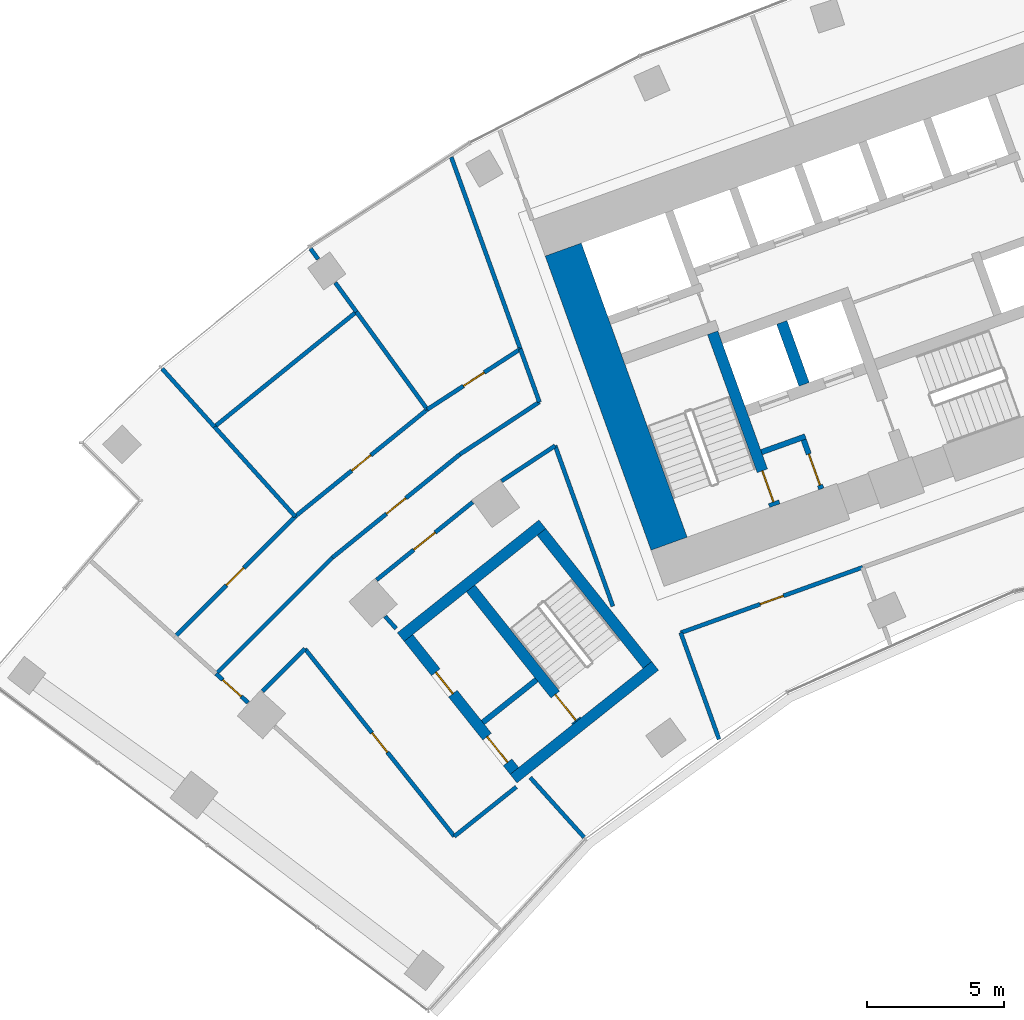
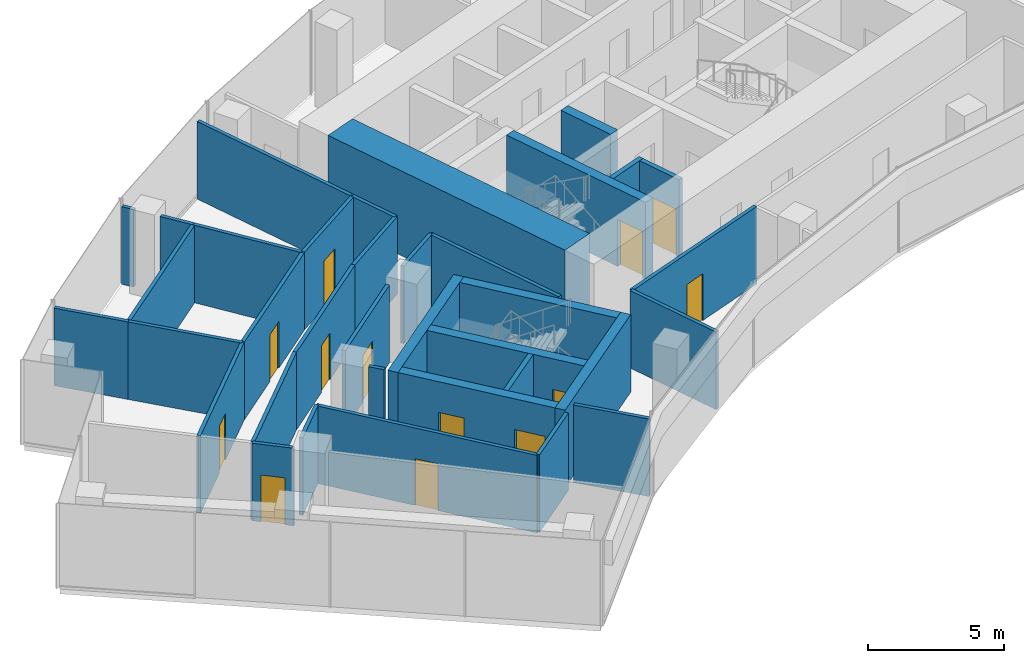
# One storey, part 13 of 20: 36 walls, 13 doors, 13 openings.
"""IFC4 building model written with IfcOpenShell, lengths in metres."""

from ifc_helpers import new_model, si_unit, direction, frame, frame_2d, origin, place, context, subcontext, project, spatial, rectangle, extrude, material, layer, layer_set, type_object, element, fill, save


model = new_model("IFC4")

# Units and contexts
model_context = context("Model", 3, precision=1e-05, world=origin(), true_north=direction((0.0, 1.0)))
body_context = subcontext(model_context, "Body", "Model", "MODEL_VIEW")
ifc_project = project(units=[si_unit("LENGTHUNIT", "METRE"), si_unit("AREAUNIT", "SQUARE_METRE"), si_unit("VOLUMEUNIT", "CUBIC_METRE"), si_unit("PLANEANGLEUNIT", "RADIAN"), si_unit("MASSUNIT", "GRAM", prefix="KILO")], contexts=[model_context])

# Site, building, storey
site_placement = place(None, origin())
site = spatial("IfcSite", under=ifc_project, at=site_placement, CompositionType="ELEMENT")
building_placement = place(site_placement, origin())
building = spatial("IfcBuilding", under=site, at=building_placement, Name="Stone Belt Terrace Tower", CompositionType="ELEMENT")
storey_placement = place(building_placement, frame((0.0, 0.0, 185.800048828125)))
storey = spatial("IfcBuildingStorey", under=building, at=storey_placement, Name="L45", CompositionType="ELEMENT", Elevation=185.800048828125)

# Walls
ifc_material_1 = material(Name="Concrete B80", Category="concrete")
ifc_layer_1 = layer(ifc_material_1, 1.39990234375)
ifc_layer_set_1 = layer_set([ifc_layer_1], Name="Core wall 1400 B80")
wall_type_1 = type_object("IfcWallType", Name="Core wall 1400 B80", PredefinedType="SHEAR", material=ifc_layer_set_1)
wall_1_placement = place(storey_placement, frame((-26.00927734375, 43.03515625, 0.0), z_axis=(0.0, 0.0, 1.0), x_axis=(-0.338625431531, 0.940921259788, 0.0)))
element("IfcWall", 1, at=wall_1_placement, inside=storey, type_object=wall_type_1, Name="Core A wall end_a L45", PredefinedType="SHEAR", context=body_context, shape_type="SweptSolid", body=[
    extrude(rectangle(XDim=11.400146484375, YDim=1.39990234375, at=frame_2d((5.7001953125, 0.0))), origin(), (0.0, 0.0, 1.0), 3.800048828125),
])
ifc_layer_2 = layer(ifc_material_1, 0.39990234375)
ifc_layer_set_2 = layer_set([ifc_layer_2], Name="Fire-fighting lift shaft wall 400")
wall_type_2 = type_object("IfcWallType", Name="Fire-fighting lift shaft wall 400", PredefinedType="SHEAR", material=ifc_layer_set_2)
wall_2_placement = place(storey_placement, frame((-21.0859375, 48.845458984375, 0.0), z_axis=(0.0, 0.0, 1.0), x_axis=(-0.338629416206, 0.940919825745, 0.0)))
element("IfcWall", 2, at=wall_2_placement, inside=storey, type_object=wall_type_2, Name="Core A wall", PredefinedType="SHEAR", context=body_context, shape_type="SweptSolid", body=[
    extrude(rectangle(XDim=2.400146484375, YDim=0.39990234375, at=frame_2d((1.2001953125, 0.0))), origin(), (0.0, 0.0, 1.0), 3.47998046875),
])
ifc_material_2 = material(Name="Gypsum board partition")
ifc_layer_3 = layer(ifc_material_2, 0.14990234375)
ifc_layer_set_3 = layer_set([ifc_layer_3], Name="PARTITION 150 EI 60")
wall_type_3 = type_object("IfcWallType", Name="PARTITION 150 EI 60", PredefinedType="PARTITIONING", material=ifc_layer_set_3)
wall_3_placement = place(storey_placement, frame((-25.5859375, 39.79296875, 0.0), z_axis=(0.0, 0.0, 1.0), x_axis=(0.338545933013, -0.940949866486, 0.0)))
element("IfcWall", 3, at=wall_3_placement, inside=storey, type_object=wall_type_3, Name="L45/wall/i001", PredefinedType="PARTITIONING", context=body_context, shape_type="SweptSolid", body=[
    extrude(rectangle(XDim=4.135009765625, YDim=0.14990234375, at=frame_2d((2.0673828125, 0.0))), origin(), (0.0, 0.0, 1.0), 3.47998046875),
])
wall_4_placement = place(storey_placement, frame((-28.05810546875, 40.75390625, 0.0), z_axis=(0.0, 0.0, 1.0), x_axis=(-0.338523697563, 0.94095786632, 0.0)))
element("IfcWall", 4, at=wall_4_placement, inside=storey, type_object=wall_type_3, Name="L45/wall/i003", PredefinedType="PARTITIONING", context=body_context, shape_type="SweptSolid", body=[
    extrude(rectangle(XDim=6.226806640625, YDim=0.14990234375, at=frame_2d((3.11328125, 0.0))), origin(), (0.0, 0.0, 1.0), 3.47998046875),
])
wall_5_placement = place(storey_placement, frame((-29.107177734375, 32.32666015625, 0.0), z_axis=(0.0, 0.0, 1.0), x_axis=(-0.669245075227, 0.74304174128, 0.0)))
element("IfcWall", 5, at=wall_5_placement, inside=storey, type_object=wall_type_3, Name="L45/wall/i004", PredefinedType="PARTITIONING", context=body_context, shape_type="SweptSolid", body=[
    extrude(rectangle(XDim=2.9345703125, YDim=0.14990234375, at=frame_2d((1.46728515625, 0.0))), origin(), (0.0, 0.0, 1.0), 3.47998046875),
])
wall_6_placement = place(storey_placement, frame((-30.737060546875, 48.197021484375, 0.0), z_axis=(0.0, 0.0, 1.0), x_axis=(-0.338522672426, 0.940958235127, 0.0)))
element("IfcWall", 6, at=wall_6_placement, inside=storey, type_object=wall_type_3, Name="L45/wall/i005", PredefinedType="PARTITIONING", context=body_context, shape_type="SweptSolid", body=[
    extrude(rectangle(XDim=2.064697265625, YDim=0.14990234375, at=frame_2d((1.0322265625, 0.0))), origin(), (0.0, 0.0, 1.0), 3.47998046875),
])
wall_7_placement = place(storey_placement, frame((-31.431884765625, 50.12890625, 0.0), z_axis=(0.0, 0.0, 1.0), x_axis=(-0.338627692375, 0.940920446136, 0.0)))
element("IfcWall", 7, at=wall_7_placement, inside=storey, type_object=wall_type_3, Name="L45/wall/i006", PredefinedType="PARTITIONING", context=body_context, shape_type="SweptSolid", body=[
    extrude(rectangle(XDim=7.44189453125, YDim=0.14990234375, at=frame_2d((3.720947265625, 0.0))), origin(), (0.0, 0.0, 1.0), 3.47998046875),
])

# Wall, opening, door
wall_8_placement = place(storey_placement, frame((-18.947998046875, 42.175048828125, 0.0), z_axis=(0.0, 0.0, 1.0), x_axis=(-0.940933298145, -0.338591979293, 0.0)))
wall_8 = element("IfcWall", 8, at=wall_8_placement, inside=storey, type_object=wall_type_3, Name="L45/wall/i011", PredefinedType="PARTITIONING", context=body_context, shape_type="SweptSolid", body=[
    extrude(rectangle(XDim=7.052490234375, YDim=0.14990234375, at=frame_2d((3.5263671875, 0.0))), origin(), (0.0, 0.0, 1.0), 3.47998046875),
])
opening_1_placement = place(wall_8_placement, frame((3.076416015625, 0.0, 0.0)))
opening_1 = element("IfcOpeningElement", 9, at=opening_1_placement, cuts=wall_8, Name="Opening D-C5-01", PredefinedType="OPENING", context=body_context, shape_type="SweptSolid", body=[
    extrude(rectangle(XDim=0.89990234375, YDim=2.10009765625, at=frame_2d((0.449951171875, 1.050048828125))), frame((0.0, 0.0849609375, 0.0), z_axis=(0.0, -1.0, 0.0), x_axis=(1.0, 0.0, 0.0)), (0.0, 0.0, 1.0), 0.169921875),
])
ifc_material_3 = material(Name="Timber door leaf", Category="wood")
door_type_1 = type_object("IfcDoorType", Name="OFFICE DOOR 900 X 2100", OperationType="NOTDEFINED", PredefinedType="DOOR", material=ifc_material_3)
door_1_placement = place(opening_1_placement, origin())
door_1 = element("IfcDoor", 10, at=door_1_placement, inside=storey, type_object=door_type_1, Name="L45/door/i01", OperationType="SINGLE_SWING_RIGHT", OverallHeight=2.10009765625, OverallWidth=0.89990234375, PredefinedType="DOOR", context=body_context, shape_type="SweptSolid", body=[
    extrude(rectangle(XDim=0.89990234375, YDim=2.10009765625, at=frame_2d((0.449951171875, 1.050048828125))), frame((0.0, 0.02490234375, 0.0), z_axis=(0.0, -1.0, 0.0), x_axis=(1.0, 0.0, 0.0)), (0.0, 0.0, 1.0), 0.050048828125),
])
fill(opening_1, door_1)

wall_9_placement = place(storey_placement, frame((-41.35986328125, 37.240478515625, 0.0), z_axis=(0.0, 0.0, 1.0), x_axis=(-0.742885543222, 0.669418456327, 0.0)))
wall_9 = element("IfcWall", 11, at=wall_9_placement, inside=storey, type_object=wall_type_3, Name="L45/wall/i029", PredefinedType="PARTITIONING", context=body_context, shape_type="SweptSolid", body=[
    extrude(rectangle(XDim=1.5751953125, YDim=0.14990234375, at=frame_2d((0.78759765625, 0.0))), origin(), (0.0, 0.0, 1.0), 3.47998046875),
])
opening_2_placement = place(wall_9_placement, frame((0.337646484375, 0.0, 0.0)))
opening_2 = element("IfcOpeningElement", 12, at=opening_2_placement, cuts=wall_9, Name="Opening D-C5-09", PredefinedType="OPENING", context=body_context, shape_type="SweptSolid", body=[
    extrude(rectangle(XDim=0.89990234375, YDim=2.10009765625, at=frame_2d((0.449951171875, 1.050048828125))), frame((0.0, 0.0849609375, 0.0), z_axis=(0.0, -1.0, 0.0), x_axis=(1.0, 0.0, 0.0)), (0.0, 0.0, 1.0), 0.169921875),
])
ifc_material_4 = material(Name="Timber fire door leaf", Category="wood")
door_type_2 = type_object("IfcDoorType", Name="TENANCY ENTRANCE DOOR 900 X 2100", OperationType="NOTDEFINED", PredefinedType="DOOR", material=ifc_material_4)
door_2_placement = place(opening_2_placement, origin())
door_2 = element("IfcDoor", 13, at=door_2_placement, inside=storey, type_object=door_type_2, Name="L45/door/i09", OperationType="SINGLE_SWING_RIGHT", OverallHeight=2.10009765625, OverallWidth=0.89990234375, PredefinedType="DOOR", context=body_context, shape_type="SweptSolid", body=[
    extrude(rectangle(XDim=0.89990234375, YDim=2.10009765625, at=frame_2d((0.449951171875, 1.050048828125))), frame((0.0, 0.02490234375, 0.0), z_axis=(0.0, -1.0, 0.0), x_axis=(1.0, 0.0, 0.0)), (0.0, 0.0, 1.0), 0.050048828125),
])
fill(opening_2, door_2)

# Wall
wall_10_placement = place(storey_placement, frame((-30.1640625, 46.60693359375, 0.0), z_axis=(0.0, 0.0, 1.0), x_axis=(-0.835406992815, -0.549631837102, 0.0)))
element("IfcWall", 14, at=wall_10_placement, inside=storey, type_object=wall_type_3, Name="L45/wall/i033", PredefinedType="PARTITIONING", context=body_context, shape_type="SweptSolid", body=[
    extrude(rectangle(XDim=2.339111328125, YDim=0.14990234375, at=frame_2d((1.16943359375, 0.0))), origin(), (0.0, 0.0, 1.0), 3.47998046875),
])

# Wall, opening, door
wall_11_placement = place(storey_placement, frame((-33.17578125, 44.548095703125, 0.0), z_axis=(0.0, 0.0, 1.0), x_axis=(-0.777148951547, -0.629316698578, 0.0)))
wall_11 = element("IfcWall", 15, at=wall_11_placement, inside=storey, type_object=wall_type_3, Name="L45/wall/i034", PredefinedType="PARTITIONING", context=body_context, shape_type="SweptSolid", body=[
    extrude(rectangle(XDim=4.505126953125, YDim=0.14990234375, at=frame_2d((2.25244140625, 0.0))), origin(), (0.0, 0.0, 1.0), 3.47998046875),
])
opening_3_placement = place(wall_11_placement, frame((1.752685546875, 0.0, 0.0)))
opening_3 = element("IfcOpeningElement", 16, at=opening_3_placement, cuts=wall_11, Name="Opening D-C5-10", PredefinedType="OPENING", context=body_context, shape_type="SweptSolid", body=[
    extrude(rectangle(XDim=1.0, YDim=2.10009765625, at=frame_2d((0.5, 1.050048828125))), frame((0.0, 0.0849609375, 0.0), z_axis=(0.0, -1.0, 0.0), x_axis=(1.0, 0.0, 0.0)), (0.0, 0.0, 1.0), 0.169921875),
])
door_type_3 = type_object("IfcDoorType", Name="TENANCY ENTRANCE DOOR 1000 X 2100", OperationType="NOTDEFINED", PredefinedType="DOOR", material=ifc_material_4)
door_3_placement = place(opening_3_placement, origin())
door_3 = element("IfcDoor", 17, at=door_3_placement, inside=storey, type_object=door_type_3, Name="L45/door/i10", OperationType="SINGLE_SWING_RIGHT", OverallHeight=2.10009765625, OverallWidth=1.0, PredefinedType="DOOR", context=body_context, shape_type="SweptSolid", body=[
    extrude(rectangle(XDim=1.0, YDim=2.10009765625, at=frame_2d((0.5, 1.050048828125))), frame((0.0, 0.02490234375, 0.0), z_axis=(0.0, -1.0, 0.0), x_axis=(1.0, 0.0, 0.0)), (0.0, 0.0, 1.0), 0.050048828125),
])
fill(opening_3, door_3)

# Walls
wall_12_placement = place(storey_placement, frame((-39.281982421875, 39.205078125, 0.0), z_axis=(0.0, 0.0, 1.0), x_axis=(-0.707106781187, -0.707106781187, 0.0)))
element("IfcWall", 18, at=wall_12_placement, inside=storey, type_object=wall_type_3, Name="L45/wall/i035", PredefinedType="PARTITIONING", context=body_context, shape_type="SweptSolid", body=[
    extrude(rectangle(XDim=2.1982421875, YDim=0.14990234375, at=frame_2d((1.09912109375, 0.0))), origin(), (0.0, 0.0, 1.0), 3.47998046875),
])
wall_13_placement = place(storey_placement, frame((-42.52587890625, 38.291015625, 0.0), z_axis=(0.0, 0.0, 1.0), x_axis=(0.707106781187, 0.707106781187, 0.0)))
element("IfcWall", 19, at=wall_13_placement, inside=storey, type_object=wall_type_3, Name="L45/wall/i036", PredefinedType="PARTITIONING", context=body_context, shape_type="SweptSolid", body=[
    extrude(rectangle(XDim=5.989013671875, YDim=0.14990234375, at=frame_2d((2.99462890625, 0.0))), origin(), (0.0, 0.0, 1.0), 3.47998046875),
])

# Wall, opening, door
wall_14_placement = place(storey_placement, frame((-38.291015625, 42.52587890625, 0.0), z_axis=(0.0, 0.0, 1.0), x_axis=(0.777109127033, 0.629365875054, 0.0)))
wall_14 = element("IfcWall", 20, at=wall_14_placement, inside=storey, type_object=wall_type_3, Name="L45/wall/i037", PredefinedType="PARTITIONING", context=body_context, shape_type="SweptSolid", body=[
    extrude(rectangle(XDim=5.990234375, YDim=0.14990234375, at=frame_2d((2.9951171875, 0.0))), origin(), (0.0, 0.0, 1.0), 3.47998046875),
])
opening_4_placement = place(wall_14_placement, frame((2.545166015625, 0.0, 0.0)))
opening_4 = element("IfcOpeningElement", 21, at=opening_4_placement, cuts=wall_14, Name="Opening D-C5-12", PredefinedType="OPENING", context=body_context, shape_type="SweptSolid", body=[
    extrude(rectangle(XDim=0.89990234375, YDim=2.10009765625, at=frame_2d((0.449951171875, 1.050048828125))), frame((0.0, 0.0849609375, 0.0), z_axis=(0.0, -1.0, 0.0), x_axis=(1.0, 0.0, 0.0)), (0.0, 0.0, 1.0), 0.169921875),
])
door_4_placement = place(opening_4_placement, origin())
door_4 = element("IfcDoor", 22, at=door_4_placement, inside=storey, type_object=door_type_1, Name="L45/door/i12", OperationType="SINGLE_SWING_RIGHT", OverallHeight=2.10009765625, OverallWidth=0.89990234375, PredefinedType="DOOR", context=body_context, shape_type="SweptSolid", body=[
    extrude(rectangle(XDim=0.89990234375, YDim=2.10009765625, at=frame_2d((0.449951171875, 1.050048828125))), frame((0.0, 0.02490234375, 0.0), z_axis=(0.0, -1.0, 0.0), x_axis=(1.0, 0.0, 0.0)), (0.0, 0.0, 1.0), 0.050048828125),
])
fill(opening_4, door_4)

# Walls
wall_15_placement = place(storey_placement, frame((-33.635986328125, 46.2958984375, 0.0), z_axis=(0.0, 0.0, 1.0), x_axis=(0.835274160171, 0.549833681535, 0.0)))
element("IfcWall", 23, at=wall_15_placement, inside=storey, type_object=wall_type_3, Name="L45/wall/i038", PredefinedType="PARTITIONING", context=body_context, shape_type="SweptSolid", body=[
    extrude(rectangle(XDim=3.46826171875, YDim=0.14990234375, at=frame_2d((1.734130859375, 0.0))), origin(), (0.0, 0.0, 1.0), 3.47998046875),
])
wall_16_placement = place(storey_placement, frame((-36.364013671875, 40.38623046875, 0.0), z_axis=(0.0, 0.0, 1.0), x_axis=(0.668964731622, -0.743294146247, 0.0)))
element("IfcWall", 24, at=wall_16_placement, inside=storey, type_object=wall_type_3, Name="L45/wall/i039", PredefinedType="PARTITIONING", context=body_context, shape_type="SweptSolid", body=[
    extrude(rectangle(XDim=0.597900390625, YDim=0.14990234375, at=frame_2d((0.298828125, 0.0))), origin(), (0.0, 0.0, 1.0), 3.47998046875),
])
wall_17_placement = place(storey_placement, frame((-31.58203125, 34.1640625, 0.0), z_axis=(0.0, 0.0, 1.0), x_axis=(-0.78211299795, -0.623136629029, 0.0)))
element("IfcWall", 25, at=wall_17_placement, inside=storey, type_object=wall_type_3, Name="L45/wall/i040", PredefinedType="PARTITIONING", context=body_context, shape_type="SweptSolid", body=[
    extrude(rectangle(XDim=2.88720703125, YDim=0.14990234375, at=frame_2d((1.443603515625, 0.0))), origin(), (0.0, 0.0, 1.0), 3.47998046875),
])

# Wall, opening, door
wall_18_placement = place(storey_placement, frame((-33.841064453125, 32.365966796875, 0.0), z_axis=(0.0, 0.0, 1.0), x_axis=(-0.623078744687, 0.782159112917, 0.0)))
wall_18 = element("IfcWall", 26, at=wall_18_placement, inside=storey, type_object=wall_type_3, Name="L45/wall/i041", PredefinedType="PARTITIONING", context=body_context, shape_type="SweptSolid", body=[
    extrude(rectangle(XDim=8.738525390625, YDim=0.14990234375, at=frame_2d((4.369140625, 0.0))), origin(), (0.0, 0.0, 1.0), 3.47998046875),
])
opening_5_placement = place(wall_18_placement, frame((3.91943359375, 0.0, 0.0)))
opening_5 = element("IfcOpeningElement", 27, at=opening_5_placement, cuts=wall_18, Name="Opening D-C5-11", PredefinedType="OPENING", context=body_context, shape_type="SweptSolid", body=[
    extrude(rectangle(XDim=0.89990234375, YDim=2.10009765625, at=frame_2d((0.449951171875, 1.050048828125))), frame((0.0, 0.0849609375, 0.0), z_axis=(0.0, -1.0, 0.0), x_axis=(1.0, 0.0, 0.0)), (0.0, 0.0, 1.0), 0.169921875),
])
door_5_placement = place(opening_5_placement, origin())
door_5 = element("IfcDoor", 28, at=door_5_placement, inside=storey, type_object=door_type_1, Name="L45/door/i11", OperationType="SINGLE_SWING_RIGHT", OverallHeight=2.10009765625, OverallWidth=0.89990234375, PredefinedType="DOOR", context=body_context, shape_type="SweptSolid", body=[
    extrude(rectangle(XDim=0.89990234375, YDim=2.10009765625, at=frame_2d((0.449951171875, 1.050048828125))), frame((0.0, 0.02490234375, 0.0), z_axis=(0.0, -1.0, 0.0), x_axis=(1.0, 0.0, 0.0)), (0.0, 0.0, 1.0), 0.050048828125),
])
fill(opening_5, door_5)

wall_19_placement = place(storey_placement, frame((-44.029052734375, 39.64501953125, 0.0), z_axis=(0.0, 0.0, 1.0), x_axis=(0.707106781187, 0.707106781187, 0.0)))
wall_19 = element("IfcWall", 29, at=wall_19_placement, inside=storey, type_object=wall_type_3, Name="L45/wall/i042", PredefinedType="PARTITIONING", context=body_context, shape_type="SweptSolid", body=[
    extrude(rectangle(XDim=6.201416015625, YDim=0.14990234375, at=frame_2d((3.1005859375, 0.0))), origin(), (0.0, 0.0, 1.0), 3.47998046875),
])
opening_6_placement = place(wall_19_placement, frame((2.650634765625, 0.0, 0.0)))
opening_6 = element("IfcOpeningElement", 30, at=opening_6_placement, cuts=wall_19, Name="Opening D-C5-13", PredefinedType="OPENING", context=body_context, shape_type="SweptSolid", body=[
    extrude(rectangle(XDim=0.89990234375, YDim=2.10009765625, at=frame_2d((0.449951171875, 1.050048828125))), frame((0.0, 0.0849609375, 0.0), z_axis=(0.0, -1.0, 0.0), x_axis=(1.0, 0.0, 0.0)), (0.0, 0.0, 1.0), 0.169921875),
])
door_6_placement = place(opening_6_placement, origin())
door_6 = element("IfcDoor", 31, at=door_6_placement, inside=storey, type_object=door_type_1, Name="L45/door/i13", OperationType="SINGLE_SWING_RIGHT", OverallHeight=2.10009765625, OverallWidth=0.89990234375, PredefinedType="DOOR", context=body_context, shape_type="SweptSolid", body=[
    extrude(rectangle(XDim=0.89990234375, YDim=2.10009765625, at=frame_2d((0.449951171875, 1.050048828125))), frame((0.0, 0.02490234375, 0.0), z_axis=(0.0, -1.0, 0.0), x_axis=(1.0, 0.0, 0.0)), (0.0, 0.0, 1.0), 0.050048828125),
])
fill(opening_6, door_6)

wall_20_placement = place(storey_placement, frame((-39.64404296875, 44.030029296875, 0.0), z_axis=(0.0, 0.0, 1.0), x_axis=(0.777190769916, 0.629265053184, 0.0)))
wall_20 = element("IfcWall", 32, at=wall_20_placement, inside=storey, type_object=wall_type_3, Name="L45/wall/i043", PredefinedType="PARTITIONING", context=body_context, shape_type="SweptSolid", body=[
    extrude(rectangle(XDim=6.20068359375, YDim=0.14990234375, at=frame_2d((3.100341796875, 0.0))), origin(), (0.0, 0.0, 1.0), 3.47998046875),
])
opening_7_placement = place(wall_20_placement, frame((2.650390625, 0.0, 0.0)))
opening_7 = element("IfcOpeningElement", 33, at=opening_7_placement, cuts=wall_20, Name="Opening D-C5-14", PredefinedType="OPENING", context=body_context, shape_type="SweptSolid", body=[
    extrude(rectangle(XDim=0.89990234375, YDim=2.10009765625, at=frame_2d((0.449951171875, 1.050048828125))), frame((0.0, 0.0849609375, 0.0), z_axis=(0.0, -1.0, 0.0), x_axis=(1.0, 0.0, 0.0)), (0.0, 0.0, 1.0), 0.169921875),
])
door_7_placement = place(opening_7_placement, origin())
door_7 = element("IfcDoor", 34, at=door_7_placement, inside=storey, type_object=door_type_1, Name="L45/door/i14", OperationType="SINGLE_SWING_RIGHT", OverallHeight=2.10009765625, OverallWidth=0.89990234375, PredefinedType="DOOR", context=body_context, shape_type="SweptSolid", body=[
    extrude(rectangle(XDim=0.89990234375, YDim=2.10009765625, at=frame_2d((0.449951171875, 1.050048828125))), frame((0.0, 0.02490234375, 0.0), z_axis=(0.0, -1.0, 0.0), x_axis=(1.0, 0.0, 0.0)), (0.0, 0.0, 1.0), 0.050048828125),
])
fill(opening_7, door_7)

wall_21_placement = place(storey_placement, frame((-34.824951171875, 47.931884765625, 0.0), z_axis=(0.0, 0.0, 1.0), x_axis=(0.838660143757, 0.544655086521, 0.0)))
wall_21 = element("IfcWall", 35, at=wall_21_placement, inside=storey, type_object=wall_type_3, Name="L45/wall/i044", PredefinedType="PARTITIONING", context=body_context, shape_type="SweptSolid", body=[
    extrude(rectangle(XDim=4.043212890625, YDim=0.14990234375, at=frame_2d((2.021484375, 0.0))), origin(), (0.0, 0.0, 1.0), 3.47998046875),
])
opening_8_placement = place(wall_21_placement, frame((1.571533203125, 0.0, 0.0)))
opening_8 = element("IfcOpeningElement", 36, at=opening_8_placement, cuts=wall_21, Name="Opening D-C5-15", PredefinedType="OPENING", context=body_context, shape_type="SweptSolid", body=[
    extrude(rectangle(XDim=0.89990234375, YDim=2.10009765625, at=frame_2d((0.449951171875, 1.050048828125))), frame((0.0, 0.0849609375, 0.0), z_axis=(0.0, -1.0, 0.0), x_axis=(1.0, 0.0, 0.0)), (0.0, 0.0, 1.0), 0.169921875),
])
door_8_placement = place(opening_8_placement, origin())
door_8 = element("IfcDoor", 37, at=door_8_placement, inside=storey, type_object=door_type_1, Name="L45/door/i15", OperationType="SINGLE_SWING_RIGHT", OverallHeight=2.10009765625, OverallWidth=0.89990234375, PredefinedType="DOOR", context=body_context, shape_type="SweptSolid", body=[
    extrude(rectangle(XDim=0.89990234375, YDim=2.10009765625, at=frame_2d((0.449951171875, 1.050048828125))), frame((0.0, 0.02490234375, 0.0), z_axis=(0.0, -1.0, 0.0), x_axis=(1.0, 0.0, 0.0)), (0.0, 0.0, 1.0), 0.050048828125),
])
fill(opening_8, door_8)

# Walls
wall_22_placement = place(storey_placement, frame((-42.592041015625, 47.302978515625, 0.0), z_axis=(0.0, 0.0, 1.0), x_axis=(0.669258646934, -0.74302951725, 0.0)))
element("IfcWall", 38, at=wall_22_placement, inside=storey, type_object=wall_type_3, Name="L45/wall/i045", PredefinedType="PARTITIONING", context=body_context, shape_type="SweptSolid", body=[
    extrude(rectangle(XDim=4.40478515625, YDim=0.14990234375, at=frame_2d((2.202392578125, 0.0))), origin(), (0.0, 0.0, 1.0), 3.47998046875),
])
wall_23_placement = place(storey_placement, frame((-44.496826171875, 49.41943359375, 0.0), z_axis=(0.0, 0.0, 1.0), x_axis=(0.66894586308, -0.743311127502, 0.0)))
element("IfcWall", 39, at=wall_23_placement, inside=storey, type_object=wall_type_3, Name="L45/wall/i046", PredefinedType="PARTITIONING", context=body_context, shape_type="SweptSolid", body=[
    extrude(rectangle(XDim=2.859375, YDim=0.14990234375, at=frame_2d((1.4296875, 0.0))), origin(), (0.0, 0.0, 1.0), 3.47998046875),
])
wall_24_placement = place(storey_placement, frame((-42.587890625, 47.299072265625, 0.0), z_axis=(0.0, 0.0, 1.0), x_axis=(0.777100621569, 0.629376377025, 0.0)))
element("IfcWall", 40, at=wall_24_placement, inside=storey, type_object=wall_type_3, Name="L45/wall/i047", PredefinedType="PARTITIONING", context=body_context, shape_type="SweptSolid", body=[
    extrude(rectangle(XDim=6.661865234375, YDim=0.14990234375, at=frame_2d((3.3310546875, 0.0))), origin(), (0.0, 0.0, 1.0), 3.47998046875),
])
wall_25_placement = place(storey_placement, frame((-37.410888671875, 51.491943359375, 0.0), z_axis=(0.0, 0.0, 1.0), x_axis=(0.587696525109, -0.809081451014, 0.0)))
element("IfcWall", 41, at=wall_25_placement, inside=storey, type_object=wall_type_3, Name="L45/wall/i048", PredefinedType="PARTITIONING", context=body_context, shape_type="SweptSolid", body=[
    extrude(rectangle(XDim=4.400146484375, YDim=0.14990234375, at=frame_2d((2.2001953125, 0.0))), origin(), (0.0, 0.0, 1.0), 3.47998046875),
])
wall_26_placement = place(storey_placement, frame((-39.087890625, 53.7998046875, 0.0), z_axis=(0.0, 0.0, 1.0), x_axis=(0.587839914735, -0.808977276964, 0.0)))
element("IfcWall", 42, at=wall_26_placement, inside=storey, type_object=wall_type_3, Name="L45/wall/i049", PredefinedType="PARTITIONING", context=body_context, shape_type="SweptSolid", body=[
    extrude(rectangle(XDim=0.4814453125, YDim=0.14990234375, at=frame_2d((0.24072265625, 0.0))), origin(), (0.0, 0.0, 1.0), 3.47998046875),
])
wall_27_placement = place(storey_placement, frame((-38.181884765625, 52.552978515625, 0.0), z_axis=(0.0, 0.0, 1.0), x_axis=(0.587839609229, -0.808977498958, 0.0)))
element("IfcWall", 43, at=wall_27_placement, inside=storey, type_object=wall_type_3, Name="L45/wall/i050", PredefinedType="PARTITIONING", context=body_context, shape_type="SweptSolid", body=[
    extrude(rectangle(XDim=1.3115234375, YDim=0.14990234375, at=frame_2d((0.65576171875, 0.0))), origin(), (0.0, 0.0, 1.0), 3.47998046875),
])
ifc_material_5 = material(Name="Concrete masonry block", Category="masonry")
ifc_layer_4 = layer(ifc_material_5, 0.199951171875)
ifc_layer_set_4 = layer_set([ifc_layer_4], Name="Rated lobby wall 200")
wall_type_4 = type_object("IfcWallType", Name="Rated lobby wall 200", PredefinedType="PARTITIONING", material=ifc_layer_set_4)
wall_28_placement = place(storey_placement, frame((-22.640625, 46.373046875, 0.0), z_axis=(0.0, 0.0, 1.0), x_axis=(0.940966110313, 0.338500781747, 0.0)))
element("IfcWall", 44, at=wall_28_placement, inside=storey, type_object=wall_type_4, Name="Core A wall", PredefinedType="PARTITIONING", context=body_context, shape_type="SweptSolid", body=[
    extrude(rectangle(XDim=1.699951171875, YDim=0.199951171875, at=frame_2d((0.85009765625, 0.0))), origin(), (0.0, 0.0, 1.0), 3.47998046875),
])

# Wall, opening, door
wall_29_placement = place(storey_placement, frame((-20.4580078125, 45.032958984375, 0.0), z_axis=(0.0, 0.0, 1.0), x_axis=(-0.338573865316, 0.940939816208, 0.0)))
wall_29 = element("IfcWall", 45, at=wall_29_placement, inside=storey, type_object=wall_type_4, Name="Core A wall", PredefinedType="PARTITIONING", context=body_context, shape_type="SweptSolid", body=[
    extrude(rectangle(XDim=1.900146484375, YDim=0.199951171875, at=frame_2d((0.9501953125, 0.0))), origin(), (0.0, 0.0, 1.0), 3.47998046875),
])
opening_9_placement = place(wall_29_placement, frame((0.14990234375, 0.0, 0.0)))
opening_9 = element("IfcOpeningElement", 46, at=opening_9_placement, cuts=wall_29, Name="Opening L45-C06", PredefinedType="OPENING", context=body_context, shape_type="SweptSolid", body=[
    extrude(rectangle(XDim=1.199951171875, YDim=2.10009765625, at=frame_2d((0.60009765625, 1.050048828125))), frame((0.0, 0.10986328125, 0.0), z_axis=(0.0, -1.0, 0.0), x_axis=(1.0, 0.0, 0.0)), (0.0, 0.0, 1.0), 0.219970703125),
])
ifc_material_6 = material(Name="Steel door leaf", Category="steel")
door_type_4 = type_object("IfcDoorType", Name="Stair door 1200", OperationType="SINGLE_SWING_LEFT", PredefinedType="DOOR", material=ifc_material_6)
door_9_placement = place(opening_9_placement, origin())
door_9 = element("IfcDoor", 47, at=door_9_placement, inside=storey, type_object=door_type_4, Name="Stair airlock door core A", OperationType="SINGLE_SWING_RIGHT", OverallHeight=2.10009765625, OverallWidth=1.199951171875, PredefinedType="DOOR", context=body_context, shape_type="SweptSolid", body=[
    extrude(rectangle(XDim=1.199951171875, YDim=2.10009765625, at=frame_2d((0.60009765625, 1.050048828125))), frame((0.0, 0.02490234375, 0.0), z_axis=(0.0, -1.0, 0.0), x_axis=(1.0, 0.0, 0.0)), (0.0, 0.0, 1.0), 0.050048828125),
])
fill(opening_9, door_9)

# Wall
wall_30_placement = place(storey_placement, frame((-30.845703125, 38.074951171875, 0.0), z_axis=(0.0, 0.0, 1.0), x_axis=(-0.782115323833, -0.623133709749, 0.0)))
element("IfcWall", 48, at=wall_30_placement, inside=storey, type_object=wall_type_4, Name="Exit stair ST3A wall", PredefinedType="PARTITIONING", context=body_context, shape_type="SweptSolid", body=[
    extrude(rectangle(XDim=2.5, YDim=0.199951171875, at=frame_2d((1.25, 0.0))), origin(), (0.0, 0.0, 1.0), 3.47998046875),
])

# Wall, opening, door
ifc_layer_5 = layer(ifc_material_1, 0.39990234375)
ifc_layer_set_5 = layer_set([ifc_layer_5], Name="Stair enclosure wall 400")
wall_type_5 = type_object("IfcWallType", Name="Stair enclosure wall 400", PredefinedType="SHEAR", material=ifc_layer_set_5)
wall_31_placement = place(storey_placement, frame((-22.151611328125, 44.42333984375, 0.0), z_axis=(0.0, 0.0, 1.0), x_axis=(-0.338625272931, 0.940921316866, 0.0)))
wall_31 = element("IfcWall", 49, at=wall_31_placement, inside=storey, type_object=wall_type_5, Name="Core A wall", PredefinedType="SHEAR", context=body_context, shape_type="SweptSolid", body=[
    extrude(rectangle(XDim=6.699951171875, YDim=0.39990234375, at=frame_2d((3.35009765625, 0.0))), origin(), (0.0, 0.0, 1.0), 3.47998046875),
])
opening_10_placement = place(wall_31_placement, frame((0.14990234375, 0.0, 0.0)))
opening_10 = element("IfcOpeningElement", 50, at=opening_10_placement, cuts=wall_31, Name="Opening L45-C05", PredefinedType="OPENING", context=body_context, shape_type="SweptSolid", body=[
    extrude(rectangle(XDim=1.199951171875, YDim=2.10009765625, at=frame_2d((0.60009765625, 1.050048828125))), frame((0.0, 0.2099609375, 0.0), z_axis=(0.0, -1.0, 0.0), x_axis=(1.0, 0.0, 0.0)), (0.0, 0.0, 1.0), 0.419921875),
])
door_10_placement = place(opening_10_placement, origin())
door_10 = element("IfcDoor", 51, at=door_10_placement, inside=storey, type_object=door_type_4, Name="Stair 1 door core A", OperationType="SINGLE_SWING_RIGHT", OverallHeight=2.10009765625, OverallWidth=1.199951171875, PredefinedType="DOOR", context=body_context, shape_type="SweptSolid", body=[
    extrude(rectangle(XDim=1.199951171875, YDim=2.10009765625, at=frame_2d((0.60009765625, 1.050048828125))), frame((0.0, 0.02490234375, 0.0), z_axis=(0.0, -1.0, 0.0), x_axis=(1.0, 0.0, 0.0)), (0.0, 0.0, 1.0), 0.050048828125),
])
fill(opening_10, door_10)

# Walls
for number, where, z_axis, x_axis, name in (
    (52, (-26.518798828125, 38.58154296875, 0.0), (0.0, 0.0, 1.0), (-0.782133914161, -0.623110375711, 0.0), "Exit stair ST3A wall"),
    (53, (-30.63134765625, 43.74365234375, 0.0), (0.0, 0.0, 1.0), (-0.782133914161, -0.623110375711, 0.0), "Exit stair ST3A wall"),
):
    element("IfcWall", number, at=place(storey_placement, frame(where, z_axis=z_axis, x_axis=x_axis)), inside=storey, type_object=wall_type_5, Name=name, PredefinedType="SHEAR", context=body_context, shape_type="SweptSolid", body=[
        extrude(rectangle(XDim=6.60009765625, YDim=0.39990234375, at=frame_2d((3.300048828125, 0.0))), origin(), (0.0, 0.0, 1.0), 3.47998046875),
    ])
wall_32_placement = place(storey_placement, frame((-26.7998046875, 38.61328125, 0.0), z_axis=(0.0, 0.0, 1.0), x_axis=(-0.623118653668, 0.782127319208, 0.0)))
element("IfcWall", 54, at=wall_32_placement, inside=storey, type_object=wall_type_5, Name="Exit stair ST3A wall", PredefinedType="SHEAR", context=body_context, shape_type="SweptSolid", body=[
    extrude(rectangle(XDim=6.199951171875, YDim=0.39990234375, at=frame_2d((3.10009765625, 0.0))), origin(), (0.0, 0.0, 1.0), 3.47998046875),
])

# Wall, openings, doors
wall_33_placement = place(storey_placement, frame((-31.64892578125, 34.75, 0.0), z_axis=(0.0, 0.0, 1.0), x_axis=(-0.623118653668, 0.782127319208, 0.0)))
wall_33 = element("IfcWall", 55, at=wall_33_placement, inside=storey, type_object=wall_type_5, Name="Exit stair ST3A wall", PredefinedType="SHEAR", context=body_context, shape_type="SweptSolid", body=[
    extrude(rectangle(XDim=6.199951171875, YDim=0.39990234375, at=frame_2d((3.10009765625, 0.0))), origin(), (0.0, 0.0, 1.0), 3.47998046875),
])
opening_11_placement = place(wall_33_placement, frame((0.39990234375, 0.0, 0.0)))
opening_11 = element("IfcOpeningElement", 56, at=opening_11_placement, cuts=wall_33, Name="Opening L45-C22", PredefinedType="OPENING", context=body_context, shape_type="SweptSolid", body=[
    extrude(rectangle(XDim=1.199951171875, YDim=2.10009765625, at=frame_2d((0.60009765625, 1.050048828125))), frame((0.0, 0.2099609375, 0.0), z_axis=(0.0, -1.0, 0.0), x_axis=(1.0, 0.0, 0.0)), (0.0, 0.0, 1.0), 0.419921875),
])
opening_12_placement = place(wall_33_placement, frame((3.60009765625, 0.0, 0.0)))
opening_12 = element("IfcOpeningElement", 57, at=opening_12_placement, cuts=wall_33, Name="Opening L45-C23", PredefinedType="OPENING", context=body_context, shape_type="SweptSolid", body=[
    extrude(rectangle(XDim=1.0, YDim=2.10009765625, at=frame_2d((0.5, 1.050048828125))), frame((0.0, 0.2099609375, 0.0), z_axis=(0.0, -1.0, 0.0), x_axis=(1.0, 0.0, 0.0)), (0.0, 0.0, 1.0), 0.419921875),
])
door_type_5 = type_object("IfcDoorType", Name="Core room door 1000", OperationType="SINGLE_SWING_LEFT", PredefinedType="DOOR", material=ifc_material_3)
door_11_placement = place(opening_12_placement, origin())
door_11 = element("IfcDoor", 58, at=door_11_placement, inside=storey, type_object=door_type_5, Name="Door to stair pressurisation plant room ST3A", OperationType="SINGLE_SWING_LEFT", OverallHeight=2.10009765625, OverallWidth=1.0, PredefinedType="DOOR", context=body_context, shape_type="SweptSolid", body=[
    extrude(rectangle(XDim=1.0, YDim=2.10009765625, at=frame_2d((0.5, 1.050048828125))), frame((0.0, 0.02490234375, 0.0), z_axis=(0.0, -1.0, 0.0), x_axis=(1.0, 0.0, 0.0)), (0.0, 0.0, 1.0), 0.050048828125),
])
fill(opening_12, door_11)
door_type_6 = type_object("IfcDoorType", Name="Stair airlock door 1200", OperationType="SINGLE_SWING_LEFT", PredefinedType="DOOR", material=ifc_material_6)
door_12_placement = place(opening_11_placement, origin())
door_12 = element("IfcDoor", 59, at=door_12_placement, inside=storey, type_object=door_type_6, Name="Stair airlock door ST3A", OperationType="SINGLE_SWING_LEFT", OverallHeight=2.10009765625, OverallWidth=1.199951171875, PredefinedType="DOOR", context=body_context, shape_type="SweptSolid", body=[
    extrude(rectangle(XDim=1.199951171875, YDim=2.10009765625, at=frame_2d((0.60009765625, 1.050048828125))), frame((0.0, 0.02490234375, 0.0), z_axis=(0.0, -1.0, 0.0), x_axis=(1.0, 0.0, 0.0)), (0.0, 0.0, 1.0), 0.050048828125),
])
fill(opening_11, door_12)

# Wall, opening, door
wall_34_placement = place(storey_placement, frame((-29.380859375, 36.556884765625, 0.0), z_axis=(0.0, 0.0, 1.0), x_axis=(-0.623099462847, 0.782142608097, 0.0)))
wall_34 = element("IfcWall", 60, at=wall_34_placement, inside=storey, type_object=wall_type_5, Name="Exit stair ST3A wall", PredefinedType="SHEAR", context=body_context, shape_type="SweptSolid", body=[
    extrude(rectangle(XDim=6.2001953125, YDim=0.39990234375, at=frame_2d((3.10009765625, 0.0))), origin(), (0.0, 0.0, 1.0), 3.47998046875),
])
opening_13_placement = place(wall_34_placement, frame((0.050048828125, 0.0, 0.0)))
opening_13 = element("IfcOpeningElement", 61, at=opening_13_placement, cuts=wall_34, Name="Opening L45-C21", PredefinedType="OPENING", context=body_context, shape_type="SweptSolid", body=[
    extrude(rectangle(XDim=1.199951171875, YDim=2.10009765625, at=frame_2d((0.60009765625, 1.050048828125))), frame((0.0, 0.2099609375, 0.0), z_axis=(0.0, -1.0, 0.0), x_axis=(1.0, 0.0, 0.0)), (0.0, 0.0, 1.0), 0.419921875),
])
door_13_placement = place(opening_13_placement, origin())
door_13 = element("IfcDoor", 62, at=door_13_placement, inside=storey, type_object=door_type_4, Name="Stair door ST3A", OperationType="SINGLE_SWING_RIGHT", OverallHeight=2.10009765625, OverallWidth=1.199951171875, PredefinedType="DOOR", context=body_context, shape_type="SweptSolid", body=[
    extrude(rectangle(XDim=1.199951171875, YDim=2.10009765625, at=frame_2d((0.60009765625, 1.050048828125))), frame((0.0, 0.02490234375, 0.0), z_axis=(0.0, -1.0, 0.0), x_axis=(1.0, 0.0, 0.0)), (0.0, 0.0, 1.0), 0.050048828125),
])
fill(opening_13, door_13)

save(model, "model.ifc")
